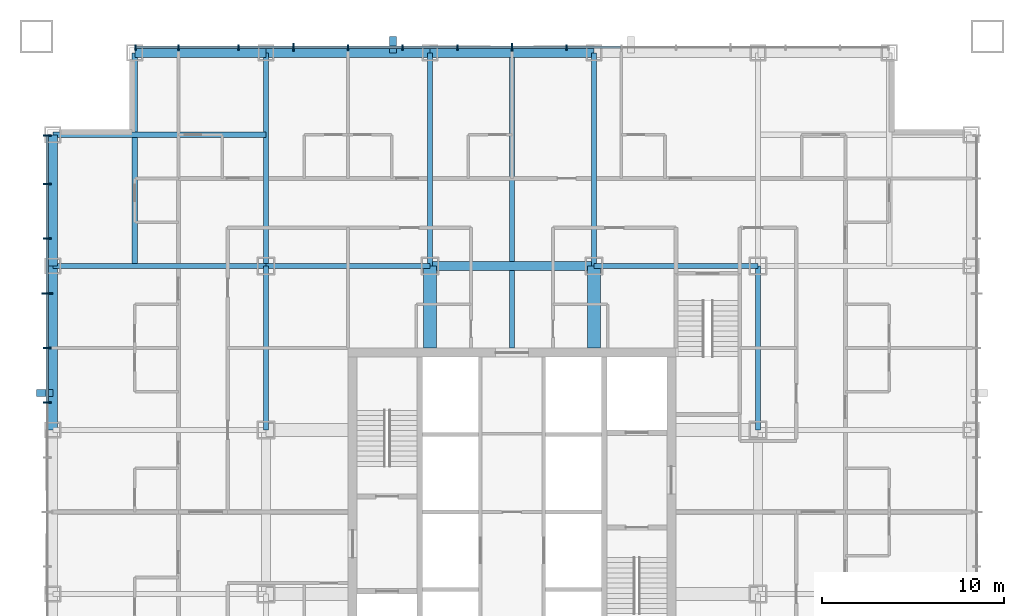
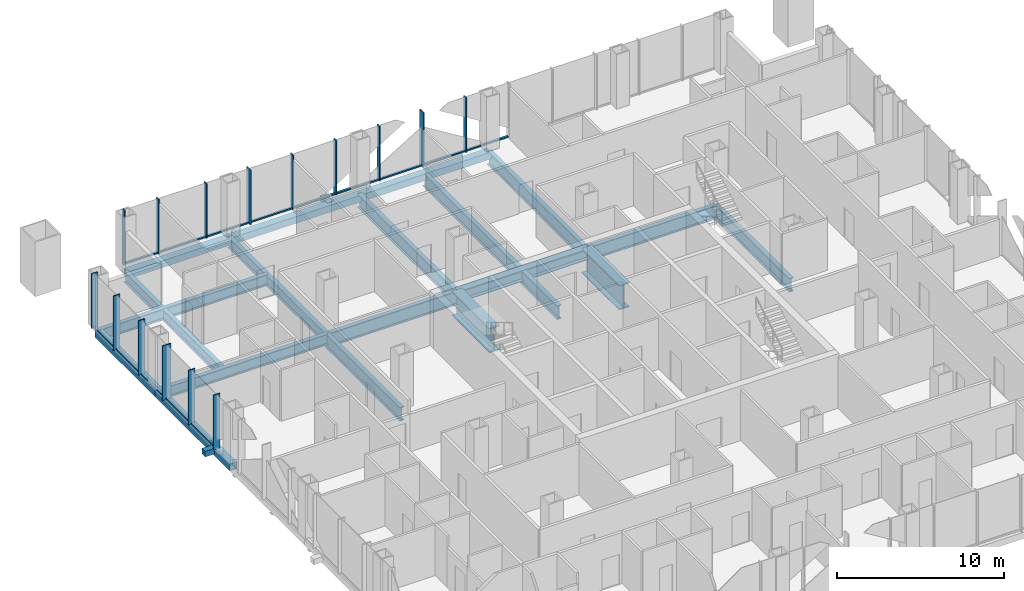
# One storey, part 4 of 13: 31 members, 19 beams, 2 elements without a shape of their own.
"""IFC4 building model written with IfcOpenShell, lengths in metres."""

from ifc_helpers import new_model, si_unit, direction, frame, origin, origin_2d, place, context, subcontext, project, spatial, rectangle, hollow_rectangle, i_section, extrude, material, layer, layer_set, material_profile, profile_set, type_object, element, aggregate, save


model = new_model("IFC4")

# Units and contexts
model_context = context("Model", 3, precision=1e-05, world=origin(), true_north=direction((0.0, 1.0)))
body_context = subcontext(model_context, "Body", "Model", "MODEL_VIEW")
ifc_project = project(units=[si_unit("LENGTHUNIT", "METRE"), si_unit("AREAUNIT", "SQUARE_METRE"), si_unit("VOLUMEUNIT", "CUBIC_METRE"), si_unit("PLANEANGLEUNIT", "RADIAN"), si_unit("MASSUNIT", "GRAM", prefix="KILO")], contexts=[model_context])

# Site, building, storey
site_placement = place(None, origin())
site = spatial("IfcSite", under=ifc_project, at=site_placement, CompositionType="ELEMENT")
building_placement = place(site_placement, origin())
building = spatial("IfcBuilding", under=site, at=building_placement, Name="Malebo Sky Hospital", CompositionType="ELEMENT")
storey_placement = place(building_placement, frame((0.0, 0.0, 43.0)))
storey = spatial("IfcBuildingStorey", under=building, at=storey_placement, Name="L09", CompositionType="ELEMENT", Elevation=43.0)

# Curtain wall, members
ifc_material_1 = material(Name="Anodised aluminium, natural silver", Category="aluminium")
ifc_layer_1 = layer(ifc_material_1, 0.25)
ifc_layer_set_1 = layer_set([ifc_layer_1], Name="WARD CURTAIN WALL NORTH AND SOUTH")
curtain_wall_type_1 = type_object("IfcCurtainWallType", Name="WARD CURTAIN WALL NORTH AND SOUTH", PredefinedType="NOTDEFINED", material=ifc_layer_set_1)
curtain_wall_1_placement = place(storey_placement, origin())
curtain_wall_1 = element("IfcCurtainWall", 1, at=curtain_wall_1_placement, inside=storey, type_object=curtain_wall_type_1, Name="NS curtain wall N", PredefinedType="NOTDEFINED")
ifc_material_profile_1 = material_profile(ifc_material_1, rectangle(XDim=0.14990234375, YDim=0.10009765625, at=origin_2d()), Name="ALUMINIUM TRANSOM 150x100")
ifc_profile_set_1 = profile_set([ifc_material_profile_1], Name="Anodised aluminium, natural silver")
member_type_1 = type_object("IfcMemberType", Name="ALUMINIUM TRANSOM 150x100", PredefinedType="USERDEFINED", material=ifc_profile_set_1)
member_1_placement = place(storey_placement, frame((39.375, 87.5, 0.050048828125), z_axis=(1.0, 0.0, 0.0), x_axis=(0.0, 1.0, 0.0)))
member_1 = element("IfcMember", 2, at=member_1_placement, type_object=member_type_1, Name="Transom 1", ObjectType="TRANSOM", PredefinedType="USERDEFINED", context=body_context, shape_type="SweptSolid", body=[
    extrude(rectangle(XDim=0.14990234375, YDim=0.10009765625, at=origin_2d()), origin(), (0.0, 0.0, 1.0), 2.28759765625),
])
member_2_placement = place(storey_placement, frame((41.737548828125, 87.5, 0.050048828125), z_axis=(1.0, 0.0, 0.0), x_axis=(0.0, 1.0, 0.0)))
member_2 = element("IfcMember", 3, at=member_2_placement, type_object=member_type_1, Name="Transom 2", ObjectType="TRANSOM", PredefinedType="USERDEFINED", context=body_context, shape_type="SweptSolid", body=[
    extrude(rectangle(XDim=0.14990234375, YDim=0.10009765625, at=origin_2d()), origin(), (0.0, 0.0, 1.0), 3.224853515625),
])
member_3_placement = place(storey_placement, frame((45.03759765625, 87.5, 0.050048828125), z_axis=(1.0, 0.0, 0.0), x_axis=(0.0, 1.0, 0.0)))
member_3 = element("IfcMember", 4, at=member_3_placement, type_object=member_type_1, Name="Transom 3", ObjectType="TRANSOM", PredefinedType="USERDEFINED", context=body_context, shape_type="SweptSolid", body=[
    extrude(rectangle(XDim=0.14990234375, YDim=0.10009765625, at=origin_2d()), origin(), (0.0, 0.0, 1.0), 2.9248046875),
])
member_4_placement = place(storey_placement, frame((48.03759765625, 87.5, 0.050048828125), z_axis=(1.0, 0.0, 0.0), x_axis=(0.0, 1.0, 0.0)))
member_4 = element("IfcMember", 5, at=member_4_placement, type_object=member_type_1, Name="Transom 4", ObjectType="TRANSOM", PredefinedType="USERDEFINED", context=body_context, shape_type="SweptSolid", body=[
    extrude(rectangle(XDim=0.14990234375, YDim=0.10009765625, at=origin_2d()), origin(), (0.0, 0.0, 1.0), 2.9248046875),
])
member_5_placement = place(storey_placement, frame((51.03759765625, 87.5, 0.050048828125), z_axis=(1.0, 0.0, 0.0), x_axis=(0.0, 1.0, 0.0)))
member_5 = element("IfcMember", 6, at=member_5_placement, type_object=member_type_1, Name="Transom 5", ObjectType="TRANSOM", PredefinedType="USERDEFINED", context=body_context, shape_type="SweptSolid", body=[
    extrude(rectangle(XDim=0.14990234375, YDim=0.10009765625, at=origin_2d()), origin(), (0.0, 0.0, 1.0), 2.9248046875),
])
member_6_placement = place(storey_placement, frame((54.03759765625, 87.5, 0.050048828125), z_axis=(1.0, 0.0, 0.0), x_axis=(0.0, 1.0, 0.0)))
member_6 = element("IfcMember", 7, at=member_6_placement, type_object=member_type_1, Name="Transom 6", ObjectType="TRANSOM", PredefinedType="USERDEFINED", context=body_context, shape_type="SweptSolid", body=[
    extrude(rectangle(XDim=0.14990234375, YDim=0.10009765625, at=origin_2d()), origin(), (0.0, 0.0, 1.0), 2.9248046875),
])
member_7_placement = place(storey_placement, frame((57.03759765625, 87.5, 0.050048828125), z_axis=(1.0, 0.0, 0.0), x_axis=(0.0, 1.0, 0.0)))
member_7 = element("IfcMember", 8, at=member_7_placement, type_object=member_type_1, Name="Transom 7", ObjectType="TRANSOM", PredefinedType="USERDEFINED", context=body_context, shape_type="SweptSolid", body=[
    extrude(rectangle(XDim=0.14990234375, YDim=0.10009765625, at=origin_2d()), origin(), (0.0, 0.0, 1.0), 2.9248046875),
])
member_8_placement = place(storey_placement, frame((60.03759765625, 87.5, 0.050048828125), z_axis=(1.0, 0.0, 0.0), x_axis=(0.0, 1.0, 0.0)))
member_8 = element("IfcMember", 9, at=member_8_placement, type_object=member_type_1, Name="Transom 8", ObjectType="TRANSOM", PredefinedType="USERDEFINED", context=body_context, shape_type="SweptSolid", body=[
    extrude(rectangle(XDim=0.14990234375, YDim=0.10009765625, at=origin_2d()), origin(), (0.0, 0.0, 1.0), 2.9248046875),
])
member_9_placement = place(storey_placement, frame((63.03759765625, 87.5, 0.050048828125), z_axis=(1.0, 0.0, 0.0), x_axis=(0.0, 1.0, 0.0)))
member_9 = element("IfcMember", 10, at=member_9_placement, type_object=member_type_1, Name="Transom 9", ObjectType="TRANSOM", PredefinedType="USERDEFINED", context=body_context, shape_type="SweptSolid", body=[
    extrude(rectangle(XDim=0.14990234375, YDim=0.10009765625, at=origin_2d()), origin(), (0.0, 0.0, 1.0), 2.9248046875),
])

ifc_layer_2 = layer(ifc_material_1, 0.25)
ifc_layer_set_2 = layer_set([ifc_layer_2], Name="WARD CURTAIN WALL EAST AND WEST")
curtain_wall_type_2 = type_object("IfcCurtainWallType", Name="WARD CURTAIN WALL EAST AND WEST", PredefinedType="NOTDEFINED", material=ifc_layer_set_2)
curtain_wall_2_placement = place(storey_placement, origin())
curtain_wall_2 = element("IfcCurtainWall", 11, at=curtain_wall_2_placement, inside=storey, type_object=curtain_wall_type_2, Name="EW curtain wall W", PredefinedType="NOTDEFINED")
member_10_placement = place(storey_placement, frame((34.5, 68.03759765625, 0.050048828125), z_axis=(0.0, 1.0, 0.0), x_axis=(-1.0, 0.0, 0.0)))
member_10 = element("IfcMember", 12, at=member_10_placement, type_object=member_type_1, Name="Transom 10", ObjectType="TRANSOM", PredefinedType="USERDEFINED", context=body_context, shape_type="SweptSolid", body=[
    extrude(rectangle(XDim=0.14990234375, YDim=0.10009765625, at=origin_2d()), origin(), (0.0, 0.0, 1.0), 2.9248046875),
])
member_11_placement = place(storey_placement, frame((34.5, 71.03759765625, 0.050048828125), z_axis=(0.0, 1.0, 0.0), x_axis=(-1.0, 0.0, 0.0)))
member_11 = element("IfcMember", 13, at=member_11_placement, type_object=member_type_1, Name="Transom 11", ObjectType="TRANSOM", PredefinedType="USERDEFINED", context=body_context, shape_type="SweptSolid", body=[
    extrude(rectangle(XDim=0.14990234375, YDim=0.10009765625, at=origin_2d()), origin(), (0.0, 0.0, 1.0), 2.9248046875),
])
member_12_placement = place(storey_placement, frame((34.5, 74.03759765625, 0.050048828125), z_axis=(0.0, 1.0, 0.0), x_axis=(-1.0, 0.0, 0.0)))
member_12 = element("IfcMember", 14, at=member_12_placement, type_object=member_type_1, Name="Transom 12", ObjectType="TRANSOM", PredefinedType="USERDEFINED", context=body_context, shape_type="SweptSolid", body=[
    extrude(rectangle(XDim=0.14990234375, YDim=0.10009765625, at=origin_2d()), origin(), (0.0, 0.0, 1.0), 2.9248046875),
])
member_13_placement = place(storey_placement, frame((34.5, 77.03759765625, 0.050048828125), z_axis=(0.0, 1.0, 0.0), x_axis=(-1.0, 0.0, 0.0)))
member_13 = element("IfcMember", 15, at=member_13_placement, type_object=member_type_1, Name="Transom 13", ObjectType="TRANSOM", PredefinedType="USERDEFINED", context=body_context, shape_type="SweptSolid", body=[
    extrude(rectangle(XDim=0.14990234375, YDim=0.10009765625, at=origin_2d()), origin(), (0.0, 0.0, 1.0), 2.9248046875),
])
member_14_placement = place(storey_placement, frame((34.5, 80.03759765625, 0.050048828125), z_axis=(0.0, 1.0, 0.0), x_axis=(-1.0, 0.0, 0.0)))
member_14 = element("IfcMember", 16, at=member_14_placement, type_object=member_type_1, Name="Transom 14", ObjectType="TRANSOM", PredefinedType="USERDEFINED", context=body_context, shape_type="SweptSolid", body=[
    extrude(rectangle(XDim=0.14990234375, YDim=0.10009765625, at=origin_2d()), origin(), (0.0, 0.0, 1.0), 2.58740234375),
])

# Members
ifc_material_2 = material(Name="Steel S355", Category="steel")
ifc_material_profile_2 = material_profile(ifc_material_2, hollow_rectangle(XDim=0.39990234375, YDim=0.39990234375, WallThickness=0.02001953125, at=origin_2d()), Name="SHS 400x20")
ifc_profile_set_2 = profile_set([ifc_material_profile_2], Name="Steel S355")
member_type_2 = type_object("IfcMemberType", Name="BRACE STRUT SHS 400x20", PredefinedType="STRUT", material=ifc_profile_set_2)
for number, where, z_axis, x_axis, name in (
    (17, (53.47509765625, 88.10009765625, -0.39990234375), (0.0, -1.0, 0.0), (1.0, 0.0, 0.0), "Brace strut AN2 L09"),
    (18, (33.89990234375, 68.52490234375, -0.39990234375), (1.0, 0.0, 0.0), (0.0, 1.0, 0.0), "Brace strut AW1 L09"),
):
    element("IfcMember", number, at=place(storey_placement, frame(where, z_axis=z_axis, x_axis=x_axis)), inside=storey, type_object=member_type_2, Name=name, PredefinedType="STRUT", context=body_context, shape_type="SweptSolid", body=[
        extrude(hollow_rectangle(XDim=0.39990234375, YDim=0.39990234375, WallThickness=0.02001953125, at=origin_2d()), origin(), (0.0, 0.0, 1.0), 0.900146484375),
    ])

# Member
ifc_material_profile_3 = material_profile(ifc_material_1, rectangle(XDim=0.074951171875, YDim=0.300048828125, at=origin_2d()), Name="CW1 ALUMINIUM FIN MULLION 75x300")
ifc_profile_set_3 = profile_set([ifc_material_profile_3], Name="Anodised aluminium, natural silver")
member_type_3 = type_object("IfcMemberType", Name="CW1 ALUMINIUM FIN MULLION 75x300", PredefinedType="MULLION", material=ifc_profile_set_3)
member_15_placement = place(storey_placement, frame((39.33740234375, 87.5, 0.0), z_axis=(0.0, 0.0, 1.0), x_axis=(1.0, 0.0, 0.0)))
member_15 = element("IfcMember", 19, at=member_15_placement, type_object=member_type_3, Name="Fin mullion 1", PredefinedType="MULLION", context=body_context, shape_type="SweptSolid", body=[
    extrude(rectangle(XDim=0.074951171875, YDim=0.300048828125, at=origin_2d()), origin(), (0.0, 0.0, 1.0), 4.0),
])

member_16_placement = place(storey_placement, frame((41.699951171875, 87.5, 0.0), z_axis=(0.0, 0.0, 1.0), x_axis=(1.0, 0.0, 0.0)))
member_16 = element("IfcMember", 20, at=member_16_placement, type_object=member_type_3, Name="Fin mullion 2", PredefinedType="MULLION", context=body_context, shape_type="SweptSolid", body=[
    extrude(rectangle(XDim=0.074951171875, YDim=0.300048828125, at=origin_2d()), origin(), (0.0, 0.0, 1.0), 4.0),
])

member_17_placement = place(storey_placement, frame((45.0, 87.5, 0.0), z_axis=(0.0, 0.0, 1.0), x_axis=(1.0, 0.0, 0.0)))
member_17 = element("IfcMember", 21, at=member_17_placement, type_object=member_type_3, Name="Fin mullion 3", PredefinedType="MULLION", context=body_context, shape_type="SweptSolid", body=[
    extrude(rectangle(XDim=0.074951171875, YDim=0.300048828125, at=origin_2d()), origin(), (0.0, 0.0, 1.0), 4.0),
])

member_18_placement = place(storey_placement, frame((51.0, 87.5, 0.0), z_axis=(0.0, 0.0, 1.0), x_axis=(1.0, 0.0, 0.0)))
member_18 = element("IfcMember", 22, at=member_18_placement, type_object=member_type_3, Name="Fin mullion 5", PredefinedType="MULLION", context=body_context, shape_type="SweptSolid", body=[
    extrude(rectangle(XDim=0.074951171875, YDim=0.300048828125, at=origin_2d()), origin(), (0.0, 0.0, 1.0), 4.0),
])

member_19_placement = place(storey_placement, frame((54.0, 87.5, 0.0), z_axis=(0.0, 0.0, 1.0), x_axis=(1.0, 0.0, 0.0)))
member_19 = element("IfcMember", 23, at=member_19_placement, type_object=member_type_3, Name="Fin mullion 6", PredefinedType="MULLION", context=body_context, shape_type="SweptSolid", body=[
    extrude(rectangle(XDim=0.074951171875, YDim=0.300048828125, at=origin_2d()), origin(), (0.0, 0.0, 1.0), 4.0),
])

member_20_placement = place(storey_placement, frame((57.0, 87.5, 0.0), z_axis=(0.0, 0.0, 1.0), x_axis=(1.0, 0.0, 0.0)))
member_20 = element("IfcMember", 24, at=member_20_placement, type_object=member_type_3, Name="Fin mullion 7", PredefinedType="MULLION", context=body_context, shape_type="SweptSolid", body=[
    extrude(rectangle(XDim=0.074951171875, YDim=0.300048828125, at=origin_2d()), origin(), (0.0, 0.0, 1.0), 4.0),
])

member_21_placement = place(storey_placement, frame((63.0, 87.5, 0.0), z_axis=(0.0, 0.0, 1.0), x_axis=(1.0, 0.0, 0.0)))
member_21 = element("IfcMember", 25, at=member_21_placement, type_object=member_type_3, Name="Fin mullion 9", PredefinedType="MULLION", context=body_context, shape_type="SweptSolid", body=[
    extrude(rectangle(XDim=0.074951171875, YDim=0.300048828125, at=origin_2d()), origin(), (0.0, 0.0, 1.0), 4.0),
])

ifc_material_profile_4 = material_profile(ifc_material_1, rectangle(XDim=0.074951171875, YDim=0.449951171875, at=origin_2d()), Name="CW1 ALUMINIUM FIN MULLION 75x450")
ifc_profile_set_4 = profile_set([ifc_material_profile_4], Name="Anodised aluminium, natural silver")
member_type_4 = type_object("IfcMemberType", Name="CW1 ALUMINIUM FIN MULLION 75x450", PredefinedType="MULLION", material=ifc_profile_set_4)
member_22_placement = place(storey_placement, frame((48.0, 87.5, 0.0), z_axis=(0.0, 0.0, 1.0), x_axis=(1.0, 0.0, 0.0)))
member_22 = element("IfcMember", 26, at=member_22_placement, type_object=member_type_4, Name="Fin mullion 4", PredefinedType="MULLION", context=body_context, shape_type="SweptSolid", body=[
    extrude(rectangle(XDim=0.074951171875, YDim=0.449951171875, at=origin_2d()), origin(), (0.0, 0.0, 1.0), 4.0),
])

member_23_placement = place(storey_placement, frame((60.0, 87.5, 0.0), z_axis=(0.0, 0.0, 1.0), x_axis=(1.0, 0.0, 0.0)))
member_23 = element("IfcMember", 27, at=member_23_placement, type_object=member_type_4, Name="Fin mullion 8", PredefinedType="MULLION", context=body_context, shape_type="SweptSolid", body=[
    extrude(rectangle(XDim=0.074951171875, YDim=0.449951171875, at=origin_2d()), origin(), (0.0, 0.0, 1.0), 4.0),
])

aggregate(curtain_wall_1, [member_15, member_16, member_17, member_22, member_18, member_19, member_20, member_23, member_21, member_1, member_2, member_3, member_4, member_5, member_6, member_7, member_8, member_9])

ifc_material_profile_5 = material_profile(ifc_material_1, rectangle(XDim=0.074951171875, YDim=0.449951171875, at=origin_2d()), Name="CW2 ALUMINIUM FIN MULLION 75x450")
ifc_profile_set_5 = profile_set([ifc_material_profile_5], Name="Anodised aluminium, natural silver")
member_type_5 = type_object("IfcMemberType", Name="CW2 ALUMINIUM FIN MULLION 75x450", PredefinedType="MULLION", material=ifc_profile_set_5)
member_24_placement = place(storey_placement, frame((34.5, 68.0, 0.0), z_axis=(0.0, 0.0, 1.0), x_axis=(0.0, 1.0, 0.0)))
member_24 = element("IfcMember", 28, at=member_24_placement, type_object=member_type_5, Name="Fin mullion 10", PredefinedType="MULLION", context=body_context, shape_type="SweptSolid", body=[
    extrude(rectangle(XDim=0.074951171875, YDim=0.449951171875, at=origin_2d()), origin(), (0.0, 0.0, 1.0), 4.0),
])

member_25_placement = place(storey_placement, frame((34.5, 71.0, 0.0), z_axis=(0.0, 0.0, 1.0), x_axis=(0.0, 1.0, 0.0)))
member_25 = element("IfcMember", 29, at=member_25_placement, type_object=member_type_5, Name="Fin mullion 11", PredefinedType="MULLION", context=body_context, shape_type="SweptSolid", body=[
    extrude(rectangle(XDim=0.074951171875, YDim=0.449951171875, at=origin_2d()), origin(), (0.0, 0.0, 1.0), 4.0),
])

member_26_placement = place(storey_placement, frame((34.5, 77.0, 0.0), z_axis=(0.0, 0.0, 1.0), x_axis=(0.0, 1.0, 0.0)))
member_26 = element("IfcMember", 30, at=member_26_placement, type_object=member_type_5, Name="Fin mullion 13", PredefinedType="MULLION", context=body_context, shape_type="SweptSolid", body=[
    extrude(rectangle(XDim=0.074951171875, YDim=0.449951171875, at=origin_2d()), origin(), (0.0, 0.0, 1.0), 4.0),
])

member_27_placement = place(storey_placement, frame((34.5, 80.0, 0.0), z_axis=(0.0, 0.0, 1.0), x_axis=(0.0, 1.0, 0.0)))
member_27 = element("IfcMember", 31, at=member_27_placement, type_object=member_type_5, Name="Fin mullion 14", PredefinedType="MULLION", context=body_context, shape_type="SweptSolid", body=[
    extrude(rectangle(XDim=0.074951171875, YDim=0.449951171875, at=origin_2d()), origin(), (0.0, 0.0, 1.0), 4.0),
])

member_28_placement = place(storey_placement, frame((34.5, 82.66259765625, 0.0), z_axis=(0.0, 0.0, 1.0), x_axis=(0.0, 1.0, 0.0)))
member_28 = element("IfcMember", 32, at=member_28_placement, type_object=member_type_5, Name="Fin mullion 15", PredefinedType="MULLION", context=body_context, shape_type="SweptSolid", body=[
    extrude(rectangle(XDim=0.074951171875, YDim=0.449951171875, at=origin_2d()), origin(), (0.0, 0.0, 1.0), 4.0),
])

ifc_material_profile_6 = material_profile(ifc_material_1, rectangle(XDim=0.074951171875, YDim=0.60009765625, at=origin_2d()), Name="CW2 ALUMINIUM FIN MULLION 75x600")
ifc_profile_set_6 = profile_set([ifc_material_profile_6], Name="Anodised aluminium, natural silver")
member_type_6 = type_object("IfcMemberType", Name="CW2 ALUMINIUM FIN MULLION 75x600", PredefinedType="MULLION", material=ifc_profile_set_6)
member_29_placement = place(storey_placement, frame((34.5, 74.0, 0.0), z_axis=(0.0, 0.0, 1.0), x_axis=(0.0, 1.0, 0.0)))
member_29 = element("IfcMember", 33, at=member_29_placement, type_object=member_type_6, Name="Fin mullion 12", PredefinedType="MULLION", context=body_context, shape_type="SweptSolid", body=[
    extrude(rectangle(XDim=0.074951171875, YDim=0.60009765625, at=origin_2d()), origin(), (0.0, 0.0, 1.0), 4.0),
])

aggregate(curtain_wall_2, [member_24, member_25, member_29, member_26, member_27, member_28, member_10, member_11, member_12, member_13, member_14])

# Beams
ifc_material_3 = material(Name="Steel S460", Category="steel")
ifc_material_profile_7 = material_profile(ifc_material_3, hollow_rectangle(XDim=0.5, YDim=0.5, WallThickness=0.030029296875, at=origin_2d()), Name="BOX 500x500x30")
ifc_profile_set_7 = profile_set([ifc_material_profile_7], Name="Steel S460")
beam_type_1 = type_object("IfcBeamType", Name="EDGE BEAM BOX 500x500x30", PredefinedType="BEAM", material=ifc_profile_set_7)
beam_1_placement = place(storey_placement, frame((34.800048828125, 66.5, -0.5), z_axis=(0.0, 1.0, 0.0), x_axis=(-1.0, 0.0, 0.0)))
element("IfcBeam", 34, at=beam_1_placement, inside=storey, type_object=beam_type_1, Name="Beam 003 L09", PredefinedType="BEAM", context=body_context, shape_type="SweptSolid", body=[
    extrude(hollow_rectangle(XDim=0.5, YDim=0.5, WallThickness=0.030029296875, at=origin_2d()), origin(), (0.0, 0.0, 1.0), 9.0),
])
for number, where, z_axis, x_axis, name in (
    (35, (34.800048828125, 75.5, -0.5), (0.0, 1.0, 0.0), (-1.0, 0.0, 0.0), "Beam 004 L09"),
    (36, (39.300048828125, 87.199951171875, -0.5), (1.0, 0.0, 0.0), (0.0, 1.0, 0.0), "Beam 063 L09"),
):
    element("IfcBeam", number, at=place(storey_placement, frame(where, z_axis=z_axis, x_axis=x_axis)), inside=storey, type_object=beam_type_1, Name=name, PredefinedType="BEAM", context=body_context, shape_type="SweptSolid", body=[
        extrude(hollow_rectangle(XDim=0.5, YDim=0.5, WallThickness=0.030029296875, at=origin_2d()), origin(), (0.0, 0.0, 1.0), 7.199951171875),
    ])
for number, where, z_axis, x_axis, name in (
    (37, (46.5, 87.199951171875, -0.5), (1.0, 0.0, 0.0), (0.0, 1.0, 0.0), "Beam 064 L09"),
    (38, (55.5, 87.199951171875, -0.5), (1.0, 0.0, 0.0), (0.0, 1.0, 0.0), "Beam 065 L09"),
):
    element("IfcBeam", number, at=place(storey_placement, frame(where, z_axis=z_axis, x_axis=x_axis)), inside=storey, type_object=beam_type_1, Name=name, PredefinedType="BEAM", context=body_context, shape_type="SweptSolid", body=[
        extrude(hollow_rectangle(XDim=0.5, YDim=0.5, WallThickness=0.030029296875, at=origin_2d()), origin(), (0.0, 0.0, 1.0), 9.0),
    ])
ifc_material_profile_8 = material_profile(ifc_material_2, i_section(OverallWidth=0.300048828125, OverallDepth=1.0, WebThickness=0.01904296875, FlangeThickness=0.035888671875, FilletRadius=0.030029296875, at=origin_2d()), Name="HEB 1000")
ifc_profile_set_8 = profile_set([ifc_material_profile_8], Name="Steel S355")
beam_type_2 = type_object("IfcBeamType", Name="FLOOR BEAM HEB 1000", PredefinedType="BEAM", material=ifc_profile_set_8)
beam_2_placement = place(storey_placement, frame((46.5, 66.5, -0.75), z_axis=(0.0, 1.0, 0.0), x_axis=(-1.0, 0.0, 0.0)))
element("IfcBeam", 39, at=beam_2_placement, inside=storey, type_object=beam_type_2, Name="Beam 010 L09", PredefinedType="BEAM", context=body_context, shape_type="SweptSolid", body=[
    extrude(i_section(OverallWidth=0.300048828125, OverallDepth=1.0, WebThickness=0.01904296875, FlangeThickness=0.035888671875, FilletRadius=0.030029296875, at=origin_2d()), origin(), (0.0, 0.0, 1.0), 9.0),
])
beam_3_placement = place(storey_placement, frame((55.5, 75.5, -0.75), z_axis=(0.0, 1.0, 0.0), x_axis=(-1.0, 0.0, 0.0)))
element("IfcBeam", 40, at=beam_3_placement, inside=storey, type_object=beam_type_2, Name="Beam 015 L09", PredefinedType="BEAM", context=body_context, shape_type="SweptSolid", body=[
    extrude(i_section(OverallWidth=0.300048828125, OverallDepth=1.0, WebThickness=0.01904296875, FlangeThickness=0.035888671875, FilletRadius=0.030029296875, at=origin_2d()), origin(), (0.0, 0.0, 1.0), 11.699951171875),
])
beam_4_placement = place(storey_placement, frame((60.0, 71.0, -0.75), z_axis=(0.0, 1.0, 0.0), x_axis=(-1.0, 0.0, 0.0)))
element("IfcBeam", 41, at=beam_4_placement, inside=storey, type_object=beam_type_2, Name="Beam 017 L09", PredefinedType="BEAM", context=body_context, shape_type="SweptSolid", body=[
    extrude(i_section(OverallWidth=0.300048828125, OverallDepth=1.0, WebThickness=0.01904296875, FlangeThickness=0.035888671875, FilletRadius=0.030029296875, at=origin_2d()), origin(), (0.0, 0.0, 1.0), 16.199951171875),
])
beam_5_placement = place(storey_placement, frame((64.5, 75.5, -0.75), z_axis=(0.0, 1.0, 0.0), x_axis=(-1.0, 0.0, 0.0)))
element("IfcBeam", 42, at=beam_5_placement, inside=storey, type_object=beam_type_2, Name="Beam 021 L09", PredefinedType="BEAM", context=body_context, shape_type="SweptSolid", body=[
    extrude(i_section(OverallWidth=0.300048828125, OverallDepth=1.0, WebThickness=0.01904296875, FlangeThickness=0.035888671875, FilletRadius=0.030029296875, at=origin_2d()), origin(), (0.0, 0.0, 1.0), 11.699951171875),
])
for number, where, z_axis, x_axis, name in (
    (43, (73.5, 66.5, -0.75), (0.0, 1.0, 0.0), (-1.0, 0.0, 0.0), "Beam 025 L09"),
    (44, (46.5, 75.5, -0.75), (1.0, 0.0, 0.0), (0.0, 1.0, 0.0), "Beam 057 L09"),
    (45, (64.5, 75.5, -0.75), (1.0, 0.0, 0.0), (0.0, 1.0, 0.0), "Beam 059 L09"),
):
    element("IfcBeam", number, at=place(storey_placement, frame(where, z_axis=z_axis, x_axis=x_axis)), inside=storey, type_object=beam_type_2, Name=name, PredefinedType="BEAM", context=body_context, shape_type="SweptSolid", body=[
        extrude(i_section(OverallWidth=0.300048828125, OverallDepth=1.0, WebThickness=0.01904296875, FlangeThickness=0.035888671875, FilletRadius=0.030029296875, at=origin_2d()), origin(), (0.0, 0.0, 1.0), 9.0),
    ])
ifc_material_profile_9 = material_profile(ifc_material_2, i_section(OverallWidth=0.300048828125, OverallDepth=0.800048828125, WebThickness=0.017578125, FlangeThickness=0.032958984375, FilletRadius=0.030029296875, at=origin_2d()), Name="HEB 800")
ifc_profile_set_9 = profile_set([ifc_material_profile_9], Name="Steel S355")
beam_type_3 = type_object("IfcBeamType", Name="FLOOR BEAM HEB 800", PredefinedType="BEAM", material=ifc_profile_set_9)
for number, where, z_axis, x_axis, name in (
    (46, (39.300048828125, 75.5, -0.64990234375), (0.0, 1.0, 0.0), (-1.0, 0.0, 0.0), "Beam 006 L09"),
    (47, (34.800048828125, 82.699951171875, -0.64990234375), (1.0, 0.0, 0.0), (0.0, 1.0, 0.0), "Beam 061 L09"),
):
    element("IfcBeam", number, at=place(storey_placement, frame(where, z_axis=z_axis, x_axis=x_axis)), inside=storey, type_object=beam_type_3, Name=name, PredefinedType="BEAM", context=body_context, shape_type="SweptSolid", body=[
        extrude(i_section(OverallWidth=0.300048828125, OverallDepth=0.800048828125, WebThickness=0.017578125, FlangeThickness=0.032958984375, FilletRadius=0.030029296875, at=origin_2d()), origin(), (0.0, 0.0, 1.0), 11.699951171875),
    ])
ifc_material_profile_10 = material_profile(ifc_material_2, i_section(OverallWidth=0.699951171875, OverallDepth=1.800048828125, WebThickness=0.034912109375, FlangeThickness=0.070068359375, at=origin_2d()), Name="PG 1800x700x35x70")
ifc_profile_set_10 = profile_set([ifc_material_profile_10], Name="Steel S355")
beam_type_4 = type_object("IfcBeamType", Name="FLOOR BEAM PG 1800x700x35x70", PredefinedType="BEAM", material=ifc_profile_set_10)
for number, where, z_axis, x_axis, name in (
    (48, (55.5, 71.0, -1.14990234375), (0.0, 1.0, 0.0), (-1.0, 0.0, 0.0), "Beam 014 L09"),
    (49, (64.5, 71.0, -1.14990234375), (0.0, 1.0, 0.0), (-1.0, 0.0, 0.0), "Beam 020 L09"),
):
    element("IfcBeam", number, at=place(storey_placement, frame(where, z_axis=z_axis, x_axis=x_axis)), inside=storey, type_object=beam_type_4, Name=name, PredefinedType="BEAM", context=body_context, shape_type="SweptSolid", body=[
        extrude(i_section(OverallWidth=0.699951171875, OverallDepth=1.800048828125, WebThickness=0.034912109375, FlangeThickness=0.070068359375, at=origin_2d()), origin(), (0.0, 0.0, 1.0), 4.5),
    ])
ifc_material_profile_11 = material_profile(ifc_material_2, i_section(OverallWidth=0.300048828125, OverallDepth=0.800048828125, WebThickness=0.017578125, FlangeThickness=0.032958984375, FilletRadius=0.030029296875, at=origin_2d()), Name="HEB 800")
ifc_profile_set_11 = profile_set([ifc_material_profile_11], Name="Steel S355")
beam_type_5 = type_object("IfcBeamType", Name="FLOOR GIRDER HEB 800", PredefinedType="BEAM", material=ifc_profile_set_11)
for number, where, z_axis, x_axis, name in (
    (50, (46.5, 75.5, -0.64990234375), (0.0, 1.0, 0.0), (-1.0, 0.0, 0.0), "Beam 011 L09"),
    (51, (34.800048828125, 75.5, -0.64990234375), (1.0, 0.0, 0.0), (0.0, 1.0, 0.0), "Beam 056 L09"),
):
    element("IfcBeam", number, at=place(storey_placement, frame(where, z_axis=z_axis, x_axis=x_axis)), inside=storey, type_object=beam_type_5, Name=name, PredefinedType="BEAM", context=body_context, shape_type="SweptSolid", body=[
        extrude(i_section(OverallWidth=0.300048828125, OverallDepth=0.800048828125, WebThickness=0.017578125, FlangeThickness=0.032958984375, FilletRadius=0.030029296875, at=origin_2d()), origin(), (0.0, 0.0, 1.0), 11.699951171875),
    ])
ifc_material_profile_12 = material_profile(ifc_material_2, i_section(OverallWidth=0.5, OverallDepth=0.800048828125, WebThickness=0.030029296875, FlangeThickness=0.050048828125, at=origin_2d()), Name="PG 800x500x30x50")
ifc_profile_set_12 = profile_set([ifc_material_profile_12], Name="Steel S355")
beam_type_6 = type_object("IfcBeamType", Name="RING GIRDER PG 800x500x30x50", PredefinedType="BEAM", material=ifc_profile_set_12)
beam_6_placement = place(storey_placement, frame((55.5, 75.5, -0.64990234375), z_axis=(1.0, 0.0, 0.0), x_axis=(0.0, 1.0, 0.0)))
element("IfcBeam", 52, at=beam_6_placement, inside=storey, type_object=beam_type_6, Name="Beam 058 L09", PredefinedType="BEAM", context=body_context, shape_type="SweptSolid", body=[
    extrude(i_section(OverallWidth=0.5, OverallDepth=0.800048828125, WebThickness=0.030029296875, FlangeThickness=0.050048828125, at=origin_2d()), origin(), (0.0, 0.0, 1.0), 9.0),
])

save(model, "model.ifc")
